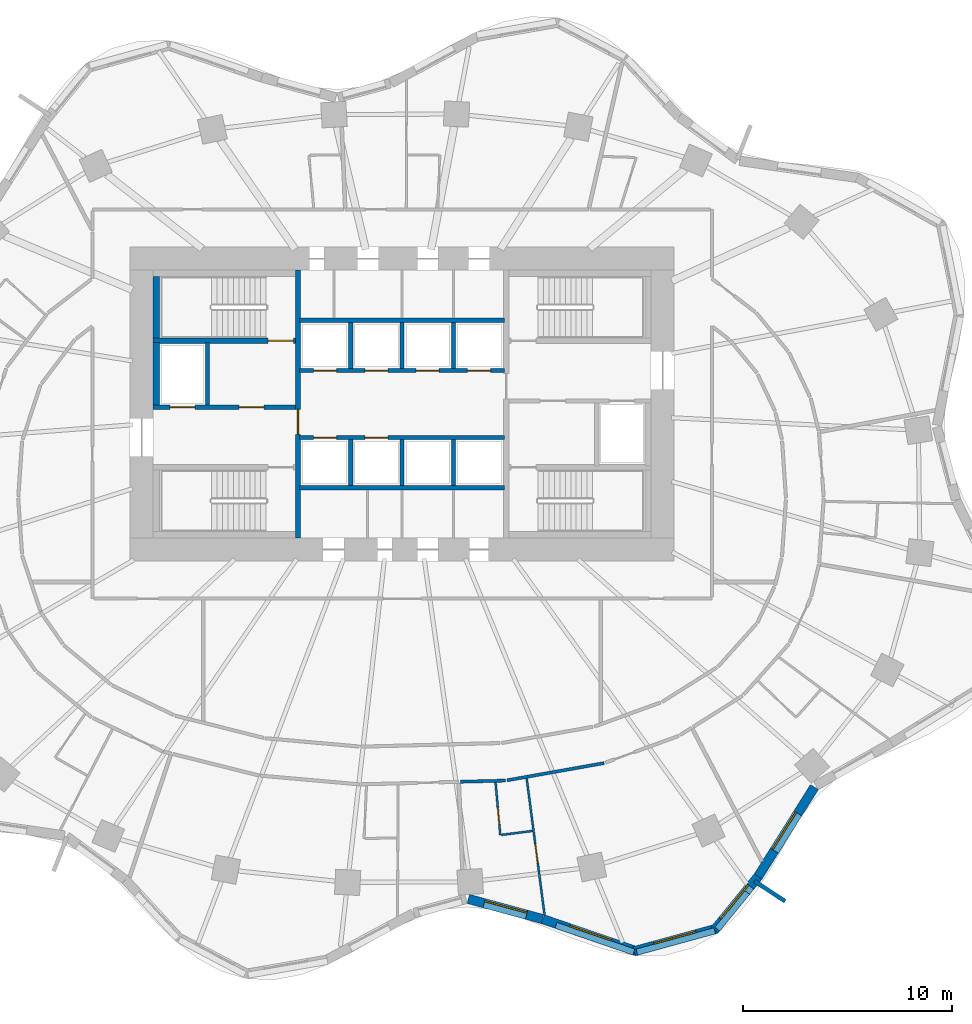
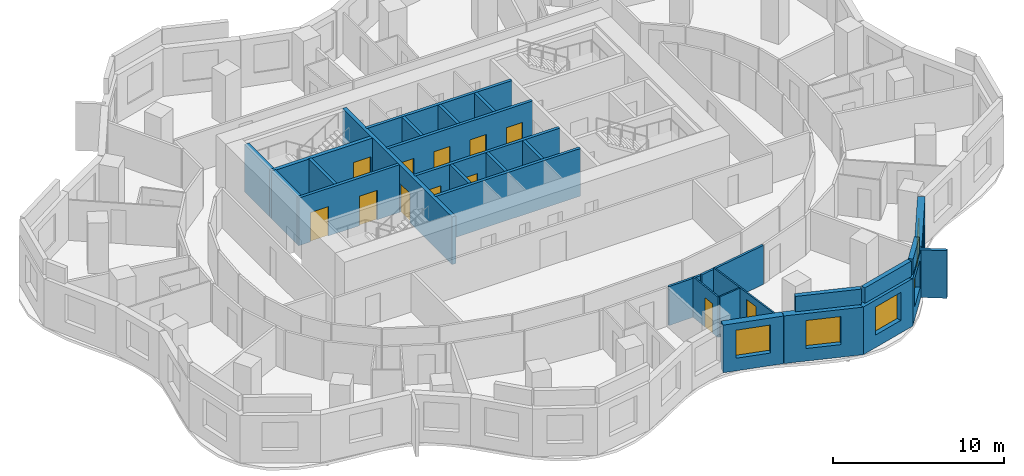
# One storey, part 5 of 10: 30 walls, 12 doors, 5 windows, 17 openings.
"""IFC4 building model written with IfcOpenShell, lengths in metres."""

from ifc_helpers import new_model, si_unit, direction, frame, frame_2d, origin, place, context, subcontext, project, spatial, rectangle, extrude, material, layer, layer_set, type_object, element, fill, save


model = new_model("IFC4")

# Units and contexts
model_context = context("Model", 3, precision=1e-05, world=origin(), true_north=direction((0.0, 1.0)))
body_context = subcontext(model_context, "Body", "Model", "MODEL_VIEW")
ifc_project = project(units=[si_unit("LENGTHUNIT", "METRE"), si_unit("AREAUNIT", "SQUARE_METRE"), si_unit("VOLUMEUNIT", "CUBIC_METRE"), si_unit("PLANEANGLEUNIT", "RADIAN"), si_unit("MASSUNIT", "GRAM", prefix="KILO")], contexts=[model_context])

# Site, building, storey
site_placement = place(None, origin())
site = spatial("IfcSite", under=ifc_project, at=site_placement, CompositionType="ELEMENT")
building_placement = place(site_placement, origin())
building = spatial("IfcBuilding", under=site, at=building_placement, Name="Rubra Terraces Tower", CompositionType="ELEMENT")
storey_placement = place(building_placement, frame((0.0, 0.0, 96.0)))
storey = spatial("IfcBuildingStorey", under=building, at=storey_placement, Name="L22", CompositionType="ELEMENT", Elevation=96.0)

# Wall, opening, window
ifc_material_1 = material(Name="Brick masonry red-brown", Category="masonry")
ifc_layer_1 = layer(ifc_material_1, 0.449951171875)
ifc_layer_set_1 = layer_set([ifc_layer_1], Name="Brick masonry red-brown")
wall_type_1 = type_object("IfcWallType", Name="Brick facade wall 450", PredefinedType="SOLIDWALL", material=ifc_layer_set_1)
wall_1_placement = place(storey_placement, frame((3.164306640625, -19.147216796875, 0.0), z_axis=(0.0, 0.0, 1.0), x_axis=(0.965039479998, -0.262104563191, 0.0)))
wall_1 = element("IfcWall", 1, at=wall_1_placement, inside=storey, type_object=wall_type_1, Name="Facade wall L22 bay 32", PredefinedType="SOLIDWALL", context=body_context, shape_type="SweptSolid", body=[
    extrude(rectangle(XDim=3.671875, YDim=0.449951171875, at=frame_2d((1.8359375, 0.0))), origin(), (0.0, 0.0, 1.0), 3.39990234375),
])
opening_1_placement = place(wall_1_placement, frame((0.785888671875, 0.0, 0.89990234375)))
opening_1 = element("IfcOpeningElement", 2, at=opening_1_placement, cuts=wall_1, Name="Opening W1", PredefinedType="OPENING", context=body_context, shape_type="SweptSolid", body=[
    extrude(rectangle(XDim=2.10009765625, YDim=2.0, at=frame_2d((1.050048828125, 1.0))), frame((0.0, 0.23486328125, 0.0), z_axis=(0.0, -1.0, 0.0), x_axis=(1.0, 0.0, 0.0)), (0.0, 0.0, 1.0), 0.469970703125),
])
ifc_material_2 = material(Name="Clear glass in aluminium frame", Category="aluminium")
window_type = type_object("IfcWindowType", Name="Fixed deep-set window 2100 x 2000", PartitioningType="SINGLE_PANEL", PredefinedType="WINDOW", material=ifc_material_2)
window_1_placement = place(opening_1_placement, origin())
window_1 = element("IfcWindow", 3, at=window_1_placement, inside=storey, type_object=window_type, Name="Window L22 bay 32", OverallHeight=2.0, OverallWidth=2.10009765625, PartitioningType="SINGLE_PANEL", PredefinedType="WINDOW", context=body_context, shape_type="SweptSolid", body=[
    extrude(rectangle(XDim=2.10009765625, YDim=2.0, at=frame_2d((1.050048828125, 1.0))), frame((0.0, 0.135009765625, 0.0), z_axis=(0.0, -1.0, 0.0), x_axis=(1.0, 0.0, 0.0)), (0.0, 0.0, 1.0), 0.06005859375),
])
fill(opening_1, window_1)

wall_2_placement = place(storey_placement, frame((6.722900390625, -20.114013671875, 0.0), z_axis=(0.0, 0.0, 1.0), x_axis=(0.945947299026, -0.324320377815, 0.0)))
wall_2 = element("IfcWall", 4, at=wall_2_placement, inside=storey, type_object=wall_type_1, Name="Facade wall L22 bay 33", PredefinedType="SOLIDWALL", context=body_context, shape_type="SweptSolid", body=[
    extrude(rectangle(XDim=4.74462890625, YDim=0.449951171875, at=frame_2d((2.372314453125, 0.0))), origin(), (0.0, 0.0, 1.0), 3.39990234375),
])
opening_2_placement = place(wall_2_placement, frame((1.322265625, 0.0, 0.89990234375)))
opening_2 = element("IfcOpeningElement", 5, at=opening_2_placement, cuts=wall_2, Name="Opening W1", PredefinedType="OPENING", context=body_context, shape_type="SweptSolid", body=[
    extrude(rectangle(XDim=2.10009765625, YDim=2.0, at=frame_2d((1.050048828125, 1.0))), frame((0.0, 0.23486328125, 0.0), z_axis=(0.0, -1.0, 0.0), x_axis=(1.0, 0.0, 0.0)), (0.0, 0.0, 1.0), 0.469970703125),
])
window_2_placement = place(opening_2_placement, origin())
window_2 = element("IfcWindow", 6, at=window_2_placement, inside=storey, type_object=window_type, Name="Window L22 bay 33", OverallHeight=2.0, OverallWidth=2.10009765625, PartitioningType="SINGLE_PANEL", PredefinedType="WINDOW", context=body_context, shape_type="SweptSolid", body=[
    extrude(rectangle(XDim=2.10009765625, YDim=2.0, at=frame_2d((1.050048828125, 1.0))), frame((0.0, 0.135009765625, 0.0), z_axis=(0.0, -1.0, 0.0), x_axis=(1.0, 0.0, 0.0)), (0.0, 0.0, 1.0), 0.06005859375),
])
fill(opening_2, window_2)

wall_3_placement = place(storey_placement, frame((11.08251953125, -21.64990234375, 0.0), z_axis=(0.0, 0.0, 1.0), x_axis=(0.964483204983, 0.264144179011, 0.0)))
wall_3 = element("IfcWall", 7, at=wall_3_placement, inside=storey, type_object=wall_type_1, Name="Facade wall L22 bay 34", PredefinedType="SOLIDWALL", context=body_context, shape_type="SweptSolid", body=[
    extrude(rectangle(XDim=4.103759765625, YDim=0.449951171875, at=frame_2d((2.0517578125, 0.0))), origin(), (0.0, 0.0, 1.0), 3.39990234375),
])
opening_3_placement = place(wall_3_placement, frame((1.001953125, 0.0, 0.89990234375)))
opening_3 = element("IfcOpeningElement", 8, at=opening_3_placement, cuts=wall_3, Name="Opening W1", PredefinedType="OPENING", context=body_context, shape_type="SweptSolid", body=[
    extrude(rectangle(XDim=2.10009765625, YDim=2.0, at=frame_2d((1.050048828125, 1.0))), frame((0.0, 0.23486328125, 0.0), z_axis=(0.0, -1.0, 0.0), x_axis=(1.0, 0.0, 0.0)), (0.0, 0.0, 1.0), 0.469970703125),
])
window_3_placement = place(opening_3_placement, origin())
window_3 = element("IfcWindow", 9, at=window_3_placement, inside=storey, type_object=window_type, Name="Window L22 bay 34", OverallHeight=2.0, OverallWidth=2.10009765625, PartitioningType="SINGLE_PANEL", PredefinedType="WINDOW", context=body_context, shape_type="SweptSolid", body=[
    extrude(rectangle(XDim=2.10009765625, YDim=2.0, at=frame_2d((1.050048828125, 1.0))), frame((0.0, 0.135009765625, 0.0), z_axis=(0.0, -1.0, 0.0), x_axis=(1.0, 0.0, 0.0)), (0.0, 0.0, 1.0), 0.06005859375),
])
fill(opening_3, window_3)

wall_4_placement = place(storey_placement, frame((14.925537109375, -20.640869140625, 0.0), z_axis=(0.0, 0.0, 1.0), x_axis=(0.631548074669, 0.775336720001, 0.0)))
wall_4 = element("IfcWall", 10, at=wall_4_placement, inside=storey, type_object=wall_type_1, Name="Facade wall L22 bay 35", PredefinedType="SOLIDWALL", context=body_context, shape_type="SweptSolid", body=[
    extrude(rectangle(XDim=3.3076171875, YDim=0.449951171875, at=frame_2d((1.65380859375, 0.0))), origin(), (0.0, 0.0, 1.0), 3.39990234375),
])
opening_4_placement = place(wall_4_placement, frame((0.603759765625, 0.0, 0.89990234375)))
opening_4 = element("IfcOpeningElement", 11, at=opening_4_placement, cuts=wall_4, Name="Opening W1", PredefinedType="OPENING", context=body_context, shape_type="SweptSolid", body=[
    extrude(rectangle(XDim=2.10009765625, YDim=2.0, at=frame_2d((1.050048828125, 1.0))), frame((0.0, 0.23486328125, 0.0), z_axis=(0.0, -1.0, 0.0), x_axis=(1.0, 0.0, 0.0)), (0.0, 0.0, 1.0), 0.469970703125),
])
window_4_placement = place(opening_4_placement, origin())
window_4 = element("IfcWindow", 12, at=window_4_placement, inside=storey, type_object=window_type, Name="Window L22 bay 35", OverallHeight=2.0, OverallWidth=2.10009765625, PartitioningType="SINGLE_PANEL", PredefinedType="WINDOW", context=body_context, shape_type="SweptSolid", body=[
    extrude(rectangle(XDim=2.10009765625, YDim=2.0, at=frame_2d((1.050048828125, 1.0))), frame((0.0, 0.135009765625, 0.0), z_axis=(0.0, -1.0, 0.0), x_axis=(1.0, 0.0, 0.0)), (0.0, 0.0, 1.0), 0.06005859375),
])
fill(opening_4, window_4)

wall_5_placement = place(storey_placement, frame((16.998291015625, -18.0986328125, 0.0), z_axis=(0.0, 0.0, 1.0), x_axis=(0.532745661304, 0.846275404559, 0.0)))
wall_5 = element("IfcWall", 13, at=wall_5_placement, inside=storey, type_object=wall_type_1, Name="Facade wall L22 bay 36", PredefinedType="SOLIDWALL", context=body_context, shape_type="SweptSolid", body=[
    extrude(rectangle(XDim=5.076171875, YDim=0.449951171875, at=frame_2d((2.5380859375, 0.0))), origin(), (0.0, 0.0, 1.0), 3.39990234375),
])
opening_5_placement = place(wall_5_placement, frame((1.488037109375, 0.0, 0.89990234375)))
opening_5 = element("IfcOpeningElement", 14, at=opening_5_placement, cuts=wall_5, Name="Opening W1", PredefinedType="OPENING", context=body_context, shape_type="SweptSolid", body=[
    extrude(rectangle(XDim=2.10009765625, YDim=2.0, at=frame_2d((1.050048828125, 1.0))), frame((0.0, 0.23486328125, 0.0), z_axis=(0.0, -1.0, 0.0), x_axis=(1.0, 0.0, 0.0)), (0.0, 0.0, 1.0), 0.469970703125),
])
window_5_placement = place(opening_5_placement, origin())
window_5 = element("IfcWindow", 15, at=window_5_placement, inside=storey, type_object=window_type, Name="Window L22 bay 36", OverallHeight=2.0, OverallWidth=2.10009765625, PartitioningType="SINGLE_PANEL", PredefinedType="WINDOW", context=body_context, shape_type="SweptSolid", body=[
    extrude(rectangle(XDim=2.10009765625, YDim=2.0, at=frame_2d((1.050048828125, 1.0))), frame((0.0, 0.135009765625, 0.0), z_axis=(0.0, -1.0, 0.0), x_axis=(1.0, 0.0, 0.0)), (0.0, 0.0, 1.0), 0.06005859375),
])
fill(opening_5, window_5)

# Walls
ifc_layer_2 = layer(ifc_material_1, 0.300048828125)
ifc_layer_set_2 = layer_set([ifc_layer_2], Name="Brick masonry red-brown")
wall_type_2 = type_object("IfcWallType", Name="Brick parapet 300", PredefinedType="PARAPET", material=ifc_layer_set_2)
wall_6_placement = place(storey_placement, frame((7.3515625, -20.40869140625, 3.60009765625), z_axis=(0.0, 0.0, 1.0), x_axis=(0.945937789937, -0.32434811171, 0.0)))
element("IfcWall", 16, at=wall_6_placement, inside=storey, type_object=wall_type_2, Name="Parapet L22 bay 33", PredefinedType="PARAPET", context=body_context, shape_type="SweptSolid", body=[
    extrude(rectangle(XDim=3.93603515625, YDim=0.300048828125, at=frame_2d((1.968017578125, 0.0))), origin(), (0.0, 0.0, 1.0), 1.099853515625),
])
wall_7_placement = place(storey_placement, frame((11.220458984375, -21.68994140625, 3.60009765625), z_axis=(0.0, 0.0, 1.0), x_axis=(0.964484148392, 0.264140734271, 0.0)))
element("IfcWall", 17, at=wall_7_placement, inside=storey, type_object=wall_type_2, Name="Parapet L22 bay 34", PredefinedType="PARAPET", context=body_context, shape_type="SweptSolid", body=[
    extrude(rectangle(XDim=3.855224609375, YDim=0.300048828125, at=frame_2d((1.927734375, 0.0))), origin(), (0.0, 0.0, 1.0), 1.099853515625),
])
wall_8_placement = place(storey_placement, frame((15.063232421875, -20.590576171875, 3.60009765625), z_axis=(0.0, 0.0, 1.0), x_axis=(0.631559943447, 0.775327052174, 0.0)))
element("IfcWall", 18, at=wall_8_placement, inside=storey, type_object=wall_type_2, Name="Parapet L22 bay 35", PredefinedType="PARAPET", context=body_context, shape_type="SweptSolid", body=[
    extrude(rectangle(XDim=2.26025390625, YDim=0.300048828125, at=frame_2d((1.130126953125, 0.0))), origin(), (0.0, 0.0, 1.0), 1.099853515625),
])
ifc_layer_3 = layer(ifc_material_1, 0.199951171875)
ifc_layer_set_3 = layer_set([ifc_layer_3], Name="Brick masonry red-brown")
wall_type_3 = type_object("IfcWallType", Name="Brick wind fin 200", PredefinedType="SOLIDWALL", material=ifc_layer_set_3)
wall_9_placement = place(storey_placement, frame((16.837890625, -18.298095703125, 0.0), z_axis=(0.0, 0.0, 1.0), x_axis=(0.835871900419, -0.548924554097, 0.0)))
element("IfcWall", 19, at=wall_9_placement, inside=storey, type_object=wall_type_3, Name="Wind fin L22 21", PredefinedType="SOLIDWALL", context=body_context, shape_type="SweptSolid", body=[
    extrude(rectangle(XDim=1.750244140625, YDim=0.199951171875, at=frame_2d((0.875, 0.0))), origin(), (0.0, 0.0, 1.0), 3.39990234375),
])
ifc_material_3 = material(Name="Plasterboard on steel stud, mineral wool infill", Category="steel")
ifc_layer_4 = layer(ifc_material_3, 0.14990234375)
ifc_layer_set_4 = layer_set([ifc_layer_4], Name="Plasterboard on steel stud, mineral wool infill")
wall_type_4 = type_object("IfcWallType", Name="CORRIDOR PARTITION 150", PredefinedType="PARTITIONING", material=ifc_layer_set_4)
wall_10_placement = place(storey_placement, frame((2.781494140625, -13.54931640625, 0.0), z_axis=(0.0, 0.0, 1.0), x_axis=(0.999665013714, 0.025881660615, 0.0)))
element("IfcWall", 20, at=wall_10_placement, inside=storey, type_object=wall_type_4, Name="PARTITION", PredefinedType="PARTITIONING", context=body_context, shape_type="SweptSolid", body=[
    extrude(rectangle(XDim=2.16015625, YDim=0.14990234375, at=frame_2d((1.080078125, 0.0))), origin(), (0.0, 0.0, 1.0), 2.783935546875),
])
wall_11_placement = place(storey_placement, frame((5.0146484375, -13.480224609375, 0.0), z_axis=(0.0, 0.0, 1.0), x_axis=(0.984637772103, 0.174609443467, 0.0)))
element("IfcWall", 21, at=wall_11_placement, inside=storey, type_object=wall_type_4, Name="PARTITION", PredefinedType="PARTITIONING", context=body_context, shape_type="SweptSolid", body=[
    extrude(rectangle(XDim=4.71484375, YDim=0.14990234375, at=frame_2d((2.357421875, 0.0))), origin(), (0.0, 0.0, 1.0), 2.783935546875),
])
ifc_material_4 = material(Name="Concrete C40", Category="concrete")
ifc_layer_5 = layer(ifc_material_4, 0.300048828125)
ifc_layer_set_5 = layer_set([ifc_layer_5], Name="Concrete C40")
wall_type_5 = type_object("IfcWallType", Name="Core lining wall 300 concrete", PredefinedType="SOLIDWALL", material=ifc_layer_set_5)
wall_12_placement = place(storey_placement, frame((-11.75, 4.449951171875, 0.0), z_axis=(0.0, 0.0, 1.0), x_axis=(0.0, 1.0, 0.0)))
element("IfcWall", 22, at=wall_12_placement, inside=storey, type_object=wall_type_5, Name="CORE LINING WALL L22", PredefinedType="SOLIDWALL", context=body_context, shape_type="SweptSolid", body=[
    extrude(rectangle(XDim=3.0, YDim=0.300048828125, at=frame_2d((1.5, 0.0))), origin(), (0.0, 0.0, 1.0), 3.39990234375),
])
wall_13_placement = place(storey_placement, frame((-11.75, 7.64990234375, 0.0), z_axis=(0.0, 0.0, 1.0), x_axis=(0.0, 1.0, 0.0)))
element("IfcWall", 23, at=wall_13_placement, inside=storey, type_object=wall_type_5, Name="CORE LINING WALL L22", PredefinedType="SOLIDWALL", context=body_context, shape_type="SweptSolid", body=[
    extrude(rectangle(XDim=2.9501953125, YDim=0.300048828125, at=frame_2d((1.47509765625, 0.0))), origin(), (0.0, 0.0, 1.0), 3.39990234375),
])

# Wall, openings, doors
ifc_material_5 = material(Name="Concrete C30", Category="concrete")
ifc_layer_6 = layer(ifc_material_5, 0.199951171875)
ifc_layer_set_6 = layer_set([ifc_layer_6], Name="Concrete C30")
wall_type_6 = type_object("IfcWallType", Name="Core wall 200 concrete", PredefinedType="SOLIDWALL", material=ifc_layer_set_6)
wall_14_placement = place(storey_placement, frame((-11.89990234375, 4.35009765625, 0.0), z_axis=(0.0, 0.0, 1.0), x_axis=(1.0, 0.0, 0.0)))
wall_14 = element("IfcWall", 24, at=wall_14_placement, inside=storey, type_object=wall_type_6, Name="STAIR WALL L22", PredefinedType="SOLIDWALL", context=body_context, shape_type="SweptSolid", body=[
    extrude(rectangle(XDim=6.7998046875, YDim=0.199951171875, at=frame_2d((3.39990234375, 0.0))), origin(), (0.0, 0.0, 1.0), 3.39990234375),
])
opening_6_placement = place(wall_14_placement, frame((4.10009765625, 0.0, 0.0)))
opening_6 = element("IfcOpeningElement", 25, at=opening_6_placement, cuts=wall_14, Name="Opening L22.C05", PredefinedType="OPENING", context=body_context, shape_type="SweptSolid", body=[
    extrude(rectangle(XDim=1.199951171875, YDim=2.10009765625, at=frame_2d((0.60009765625, 1.050048828125))), frame((0.0, 0.10986328125, 0.0), z_axis=(0.0, -1.0, 0.0), x_axis=(1.0, 0.0, 0.0)), (0.0, 0.0, 1.0), 0.219970703125),
])
opening_7_placement = place(wall_14_placement, frame((0.800048828125, 0.0, 0.0)))
opening_7 = element("IfcOpeningElement", 26, at=opening_7_placement, cuts=wall_14, Name="Opening L22.C11", PredefinedType="OPENING", context=body_context, shape_type="SweptSolid", body=[
    extrude(rectangle(XDim=1.199951171875, YDim=2.10009765625, at=frame_2d((0.60009765625, 1.050048828125))), frame((0.0, 0.10986328125, 0.0), z_axis=(0.0, -1.0, 0.0), x_axis=(1.0, 0.0, 0.0)), (0.0, 0.0, 1.0), 0.219970703125),
])
ifc_material_6 = material(Name="Painted steel", Category="steel")
door_type_1 = type_object("IfcDoorType", Name="Fire door 1200x2100 single", OperationType="NOTDEFINED", PredefinedType="DOOR", material=ifc_material_6)
door_1_placement = place(opening_6_placement, origin())
door_1 = element("IfcDoor", 27, at=door_1_placement, inside=storey, type_object=door_type_1, Name="Stair vestibule door S2", OperationType="SINGLE_SWING_LEFT", OverallHeight=2.10009765625, OverallWidth=1.199951171875, PredefinedType="DOOR", context=body_context, shape_type="SweptSolid", body=[
    extrude(rectangle(XDim=1.199951171875, YDim=2.10009765625, at=frame_2d((0.60009765625, 1.050048828125))), frame((0.0, 0.02490234375, 0.0), z_axis=(0.0, -1.0, 0.0), x_axis=(1.0, 0.0, 0.0)), (0.0, 0.0, 1.0), 0.050048828125),
])
fill(opening_6, door_1)
ifc_material_7 = material(Name="Stainless steel", Category="steel")
door_type_2 = type_object("IfcDoorType", Name="Lift landing door 1200x2100", OperationType="NOTDEFINED", PredefinedType="DOOR", material=ifc_material_7)
door_2_placement = place(opening_7_placement, origin())
door_2 = element("IfcDoor", 28, at=door_2_placement, inside=storey, type_object=door_type_2, Name="Landing door FF1", OperationType="SLIDING_TO_RIGHT", OverallHeight=2.10009765625, OverallWidth=1.199951171875, PredefinedType="DOOR", context=body_context, shape_type="SweptSolid", body=[
    extrude(rectangle(XDim=1.199951171875, YDim=2.10009765625, at=frame_2d((0.60009765625, 1.050048828125))), frame((0.0, 0.02490234375, 0.0), z_axis=(0.0, -1.0, 0.0), x_axis=(1.0, 0.0, 0.0)), (0.0, 0.0, 1.0), 0.050048828125),
])
fill(opening_7, door_2)

# Walls
wall_15_placement = place(storey_placement, frame((-9.300048828125, 4.449951171875, 0.0), z_axis=(0.0, 0.0, 1.0), x_axis=(0.0, 1.0, 0.0)))
element("IfcWall", 29, at=wall_15_placement, inside=storey, type_object=wall_type_6, Name="STAIR WALL L22", PredefinedType="SOLIDWALL", context=body_context, shape_type="SweptSolid", body=[
    extrude(rectangle(XDim=3.0, YDim=0.199951171875, at=frame_2d((1.5, 0.0))), origin(), (0.0, 0.0, 1.0), 3.39990234375),
])
wall_16_placement = place(storey_placement, frame((-4.89990234375, 0.5, 0.0), z_axis=(0.0, 0.0, 1.0), x_axis=(1.0, 0.0, 0.0)))
element("IfcWall", 30, at=wall_16_placement, inside=storey, type_object=wall_type_6, Name="LIFT SHAFT WALL L22", PredefinedType="SOLIDWALL", context=body_context, shape_type="SweptSolid", body=[
    extrude(rectangle(XDim=9.7998046875, YDim=0.199951171875, at=frame_2d((4.89990234375, 0.0))), origin(), (0.0, 0.0, 1.0), 3.39990234375),
])

# Wall, openings, doors
wall_17_placement = place(storey_placement, frame((-4.89990234375, 2.89990234375, 0.0), z_axis=(0.0, 0.0, 1.0), x_axis=(1.0, 0.0, 0.0)))
wall_17 = element("IfcWall", 31, at=wall_17_placement, inside=storey, type_object=wall_type_6, Name="LIFT SHAFT WALL L22", PredefinedType="SOLIDWALL", context=body_context, shape_type="SweptSolid", body=[
    extrude(rectangle(XDim=9.7998046875, YDim=0.199951171875, at=frame_2d((4.89990234375, 0.0))), origin(), (0.0, 0.0, 1.0), 3.39990234375),
])
opening_8_placement = place(wall_17_placement, frame((0.675048828125, 0.0, 0.0)))
opening_8 = element("IfcOpeningElement", 32, at=opening_8_placement, cuts=wall_17, Name="Opening L22.C13", PredefinedType="OPENING", context=body_context, shape_type="SweptSolid", body=[
    extrude(rectangle(XDim=1.10009765625, YDim=2.10009765625, at=frame_2d((0.550048828125, 1.050048828125))), frame((0.0, 0.10986328125, 0.0), z_axis=(0.0, -1.0, 0.0), x_axis=(1.0, 0.0, 0.0)), (0.0, 0.0, 1.0), 0.219970703125),
])
opening_9_placement = place(wall_17_placement, frame((3.125, 0.0, 0.0)))
opening_9 = element("IfcOpeningElement", 33, at=opening_9_placement, cuts=wall_17, Name="Opening L22.C14", PredefinedType="OPENING", context=body_context, shape_type="SweptSolid", body=[
    extrude(rectangle(XDim=1.10009765625, YDim=2.10009765625, at=frame_2d((0.550048828125, 1.050048828125))), frame((0.0, 0.10986328125, 0.0), z_axis=(0.0, -1.0, 0.0), x_axis=(1.0, 0.0, 0.0)), (0.0, 0.0, 1.0), 0.219970703125),
])
door_type_3 = type_object("IfcDoorType", Name="Lift landing door 1100x2100", OperationType="NOTDEFINED", PredefinedType="DOOR", material=ifc_material_7)
door_3_placement = place(opening_8_placement, origin())
door_3 = element("IfcDoor", 34, at=door_3_placement, inside=storey, type_object=door_type_3, Name="Landing door LB1", OperationType="SLIDING_TO_RIGHT", OverallHeight=2.10009765625, OverallWidth=1.10009765625, PredefinedType="DOOR", context=body_context, shape_type="SweptSolid", body=[
    extrude(rectangle(XDim=1.10009765625, YDim=2.10009765625, at=frame_2d((0.550048828125, 1.050048828125))), frame((0.0, 0.02490234375, 0.0), z_axis=(0.0, -1.0, 0.0), x_axis=(1.0, 0.0, 0.0)), (0.0, 0.0, 1.0), 0.050048828125),
])
fill(opening_8, door_3)
door_4_placement = place(opening_9_placement, origin())
door_4 = element("IfcDoor", 35, at=door_4_placement, inside=storey, type_object=door_type_3, Name="Landing door LB2", OperationType="SLIDING_TO_LEFT", OverallHeight=2.10009765625, OverallWidth=1.10009765625, PredefinedType="DOOR", context=body_context, shape_type="SweptSolid", body=[
    extrude(rectangle(XDim=1.10009765625, YDim=2.10009765625, at=frame_2d((0.550048828125, 1.050048828125))), frame((0.0, 0.02490234375, 0.0), z_axis=(0.0, -1.0, 0.0), x_axis=(1.0, 0.0, 0.0)), (0.0, 0.0, 1.0), 0.050048828125),
])
fill(opening_9, door_4)

wall_18_placement = place(storey_placement, frame((-4.89990234375, 6.10009765625, 0.0), z_axis=(0.0, 0.0, 1.0), x_axis=(1.0, 0.0, 0.0)))
wall_18 = element("IfcWall", 36, at=wall_18_placement, inside=storey, type_object=wall_type_6, Name="LIFT SHAFT WALL L22", PredefinedType="SOLIDWALL", context=body_context, shape_type="SweptSolid", body=[
    extrude(rectangle(XDim=9.7998046875, YDim=0.199951171875, at=frame_2d((4.89990234375, 0.0))), origin(), (0.0, 0.0, 1.0), 3.39990234375),
])
opening_10_placement = place(wall_18_placement, frame((0.675048828125, 0.0, 0.0)))
opening_10 = element("IfcOpeningElement", 37, at=opening_10_placement, cuts=wall_18, Name="Opening L22.C15", PredefinedType="OPENING", context=body_context, shape_type="SweptSolid", body=[
    extrude(rectangle(XDim=1.10009765625, YDim=2.10009765625, at=frame_2d((0.550048828125, 1.050048828125))), frame((0.0, 0.10986328125, 0.0), z_axis=(0.0, -1.0, 0.0), x_axis=(1.0, 0.0, 0.0)), (0.0, 0.0, 1.0), 0.219970703125),
])
opening_11_placement = place(wall_18_placement, frame((3.125, 0.0, 0.0)))
opening_11 = element("IfcOpeningElement", 38, at=opening_11_placement, cuts=wall_18, Name="Opening L22.C16", PredefinedType="OPENING", context=body_context, shape_type="SweptSolid", body=[
    extrude(rectangle(XDim=1.10009765625, YDim=2.10009765625, at=frame_2d((0.550048828125, 1.050048828125))), frame((0.0, 0.10986328125, 0.0), z_axis=(0.0, -1.0, 0.0), x_axis=(1.0, 0.0, 0.0)), (0.0, 0.0, 1.0), 0.219970703125),
])
opening_12_placement = place(wall_18_placement, frame((5.574951171875, 0.0, 0.0)))
opening_12 = element("IfcOpeningElement", 39, at=opening_12_placement, cuts=wall_18, Name="Opening L22.C17", PredefinedType="OPENING", context=body_context, shape_type="SweptSolid", body=[
    extrude(rectangle(XDim=1.10009765625, YDim=2.10009765625, at=frame_2d((0.550048828125, 1.050048828125))), frame((0.0, 0.10986328125, 0.0), z_axis=(0.0, -1.0, 0.0), x_axis=(1.0, 0.0, 0.0)), (0.0, 0.0, 1.0), 0.219970703125),
])
opening_13_placement = place(wall_18_placement, frame((8.02490234375, 0.0, 0.0)))
opening_13 = element("IfcOpeningElement", 40, at=opening_13_placement, cuts=wall_18, Name="Opening L22.C18", PredefinedType="OPENING", context=body_context, shape_type="SweptSolid", body=[
    extrude(rectangle(XDim=1.10009765625, YDim=2.10009765625, at=frame_2d((0.550048828125, 1.050048828125))), frame((0.0, 0.10986328125, 0.0), z_axis=(0.0, -1.0, 0.0), x_axis=(1.0, 0.0, 0.0)), (0.0, 0.0, 1.0), 0.219970703125),
])
door_5_placement = place(opening_10_placement, origin())
door_5 = element("IfcDoor", 41, at=door_5_placement, inside=storey, type_object=door_type_3, Name="Landing door LB3", OperationType="SLIDING_TO_RIGHT", OverallHeight=2.10009765625, OverallWidth=1.10009765625, PredefinedType="DOOR", context=body_context, shape_type="SweptSolid", body=[
    extrude(rectangle(XDim=1.10009765625, YDim=2.10009765625, at=frame_2d((0.550048828125, 1.050048828125))), frame((0.0, 0.02490234375, 0.0), z_axis=(0.0, -1.0, 0.0), x_axis=(1.0, 0.0, 0.0)), (0.0, 0.0, 1.0), 0.050048828125),
])
fill(opening_10, door_5)
door_6_placement = place(opening_11_placement, origin())
door_6 = element("IfcDoor", 42, at=door_6_placement, inside=storey, type_object=door_type_3, Name="Landing door LB4", OperationType="SLIDING_TO_LEFT", OverallHeight=2.10009765625, OverallWidth=1.10009765625, PredefinedType="DOOR", context=body_context, shape_type="SweptSolid", body=[
    extrude(rectangle(XDim=1.10009765625, YDim=2.10009765625, at=frame_2d((0.550048828125, 1.050048828125))), frame((0.0, 0.02490234375, 0.0), z_axis=(0.0, -1.0, 0.0), x_axis=(1.0, 0.0, 0.0)), (0.0, 0.0, 1.0), 0.050048828125),
])
fill(opening_11, door_6)
door_7_placement = place(opening_12_placement, origin())
door_7 = element("IfcDoor", 43, at=door_7_placement, inside=storey, type_object=door_type_3, Name="Landing door LB5", OperationType="SLIDING_TO_RIGHT", OverallHeight=2.10009765625, OverallWidth=1.10009765625, PredefinedType="DOOR", context=body_context, shape_type="SweptSolid", body=[
    extrude(rectangle(XDim=1.10009765625, YDim=2.10009765625, at=frame_2d((0.550048828125, 1.050048828125))), frame((0.0, 0.02490234375, 0.0), z_axis=(0.0, -1.0, 0.0), x_axis=(1.0, 0.0, 0.0)), (0.0, 0.0, 1.0), 0.050048828125),
])
fill(opening_12, door_7)
door_8_placement = place(opening_13_placement, origin())
door_8 = element("IfcDoor", 44, at=door_8_placement, inside=storey, type_object=door_type_3, Name="Landing door LB6", OperationType="SLIDING_TO_LEFT", OverallHeight=2.10009765625, OverallWidth=1.10009765625, PredefinedType="DOOR", context=body_context, shape_type="SweptSolid", body=[
    extrude(rectangle(XDim=1.10009765625, YDim=2.10009765625, at=frame_2d((0.550048828125, 1.050048828125))), frame((0.0, 0.02490234375, 0.0), z_axis=(0.0, -1.0, 0.0), x_axis=(1.0, 0.0, 0.0)), (0.0, 0.0, 1.0), 0.050048828125),
])
fill(opening_13, door_8)

# Walls
wall_19_placement = place(storey_placement, frame((-4.89990234375, 8.5, 0.0), z_axis=(0.0, 0.0, 1.0), x_axis=(1.0, 0.0, 0.0)))
element("IfcWall", 45, at=wall_19_placement, inside=storey, type_object=wall_type_6, Name="LIFT SHAFT WALL L22", PredefinedType="SOLIDWALL", context=body_context, shape_type="SweptSolid", body=[
    extrude(rectangle(XDim=9.7998046875, YDim=0.199951171875, at=frame_2d((4.89990234375, 0.0))), origin(), (0.0, 0.0, 1.0), 3.39990234375),
])
for number, where, z_axis, x_axis, name in (
    (46, (-2.449951171875, 0.60009765625, 0.0), (0.0, 0.0, 1.0), (0.0, 1.0, 0.0), "LIFT SHAFT WALL L22"),
    (47, (0.0, 0.60009765625, 0.0), (0.0, 0.0, 1.0), (0.0, 1.0, 0.0), "LIFT SHAFT WALL L22"),
    (48, (2.449951171875, 0.60009765625, 0.0), (0.0, 0.0, 1.0), (0.0, 1.0, 0.0), "LIFT SHAFT WALL L22"),
    (49, (-2.449951171875, 6.199951171875, 0.0), (0.0, 0.0, 1.0), (0.0, 1.0, 0.0), "LIFT SHAFT WALL L22"),
    (50, (0.0, 6.199951171875, 0.0), (0.0, 0.0, 1.0), (0.0, 1.0, 0.0), "LIFT SHAFT WALL L22"),
    (51, (2.449951171875, 6.199951171875, 0.0), (0.0, 0.0, 1.0), (0.0, 1.0, 0.0), "LIFT SHAFT WALL L22"),
):
    element("IfcWall", number, at=place(storey_placement, frame(where, z_axis=z_axis, x_axis=x_axis)), inside=storey, type_object=wall_type_6, Name=name, PredefinedType="SOLIDWALL", context=body_context, shape_type="SweptSolid", body=[
        extrude(rectangle(XDim=2.199951171875, YDim=0.199951171875, at=frame_2d((1.10009765625, 0.0))), origin(), (0.0, 0.0, 1.0), 3.39990234375),
    ])

# Wall, opening, door
ifc_material_8 = material(Name="Plasterboard on steel stud", Category="steel")
ifc_layer_7 = layer(ifc_material_8, 0.10009765625)
ifc_layer_set_7 = layer_set([ifc_layer_7], Name="Plasterboard on steel stud")
wall_type_7 = type_object("IfcWallType", Name="ROOM PARTITION 100", PredefinedType="PARTITIONING", material=ifc_layer_set_7)
wall_20_placement = place(storey_placement, frame((6.80712890625, -19.905029296875, 0.0), z_axis=(0.0, 0.0, 1.0), x_axis=(-0.129895112789, 0.991527740244, 0.0)))
wall_20 = element("IfcWall", 52, at=wall_20_placement, inside=storey, type_object=wall_type_7, Name="PARTITION", PredefinedType="PARTITIONING", context=body_context, shape_type="SweptSolid", body=[
    extrude(rectangle(XDim=6.57080078125, YDim=0.10009765625, at=frame_2d((3.285400390625, 0.0))), origin(), (0.0, 0.0, 1.0), 2.884033203125),
])
opening_14_placement = place(wall_20_placement, frame((2.49609375, 0.0, 0.0)))
opening_14 = element("IfcOpeningElement", 53, at=opening_14_placement, cuts=wall_20, Name="Opening 22-119", PredefinedType="OPENING", context=body_context, shape_type="SweptSolid", body=[
    extrude(rectangle(XDim=0.89990234375, YDim=2.39990234375, at=frame_2d((0.449951171875, 1.199951171875))), frame((0.0, 0.06005859375, 0.0), z_axis=(0.0, -1.0, 0.0), x_axis=(1.0, 0.0, 0.0)), (0.0, 0.0, 1.0), 0.1201171875),
])
ifc_material_9 = material(Name="Veneered timber door leaf, fire-rated", Category="wood")
door_type_4 = type_object("IfcDoorType", Name="SUITE ENTRANCE DOOR 900 X 2400", OperationType="SINGLE_SWING_LEFT", PredefinedType="DOOR", material=ifc_material_9)
door_9_placement = place(opening_14_placement, origin())
door_9 = element("IfcDoor", 54, at=door_9_placement, inside=storey, type_object=door_type_4, Name="DOOR 22-119", OperationType="SINGLE_SWING_LEFT", OverallHeight=2.39990234375, OverallWidth=0.89990234375, PredefinedType="DOOR", context=body_context, shape_type="SweptSolid", body=[
    extrude(rectangle(XDim=0.89990234375, YDim=2.39990234375, at=frame_2d((0.449951171875, 1.199951171875))), frame((0.0, 0.02490234375, 0.0), z_axis=(0.0, -1.0, 0.0), x_axis=(1.0, 0.0, 0.0)), (0.0, 0.0, 1.0), 0.050048828125),
])
fill(opening_14, door_9)

wall_21_placement = place(storey_placement, frame((4.46630859375, -13.58056640625, 0.0), z_axis=(0.0, 0.0, 1.0), x_axis=(0.089541778651, -0.995983067063, 0.0)))
wall_21 = element("IfcWall", 55, at=wall_21_placement, inside=storey, type_object=wall_type_7, Name="PARTITION", PredefinedType="PARTITIONING", context=body_context, shape_type="SweptSolid", body=[
    extrude(rectangle(XDim=2.52490234375, YDim=0.10009765625, at=frame_2d((1.262451171875, 0.0))), origin(), (0.0, 0.0, 1.0), 2.884033203125),
])
opening_15_placement = place(wall_21_placement, frame((1.199951171875, 0.0, 0.0)))
opening_15 = element("IfcOpeningElement", 56, at=opening_15_placement, cuts=wall_21, Name="Opening 22-118", PredefinedType="OPENING", context=body_context, shape_type="SweptSolid", body=[
    extrude(rectangle(XDim=0.800048828125, YDim=2.10009765625, at=frame_2d((0.39990234375, 1.050048828125))), frame((0.0, 0.06005859375, 0.0), z_axis=(0.0, -1.0, 0.0), x_axis=(1.0, 0.0, 0.0)), (0.0, 0.0, 1.0), 0.1201171875),
])
ifc_material_10 = material(Name="Painted timber door leaf", Category="wood")
door_type_5 = type_object("IfcDoorType", Name="BATHROOM DOOR 800 X 2100", OperationType="SINGLE_SWING_LEFT", PredefinedType="DOOR", material=ifc_material_10)
door_10_placement = place(opening_15_placement, origin())
door_10 = element("IfcDoor", 57, at=door_10_placement, inside=storey, type_object=door_type_5, Name="DOOR 22-118", OperationType="SINGLE_SWING_LEFT", OverallHeight=2.10009765625, OverallWidth=0.800048828125, PredefinedType="DOOR", context=body_context, shape_type="SweptSolid", body=[
    extrude(rectangle(XDim=0.800048828125, YDim=2.10009765625, at=frame_2d((0.39990234375, 1.050048828125))), frame((0.0, 0.02490234375, 0.0), z_axis=(0.0, -1.0, 0.0), x_axis=(1.0, 0.0, 0.0)), (0.0, 0.0, 1.0), 0.050048828125),
])
fill(opening_15, door_10)

# Wall
wall_22_placement = place(storey_placement, frame((4.741943359375, -16.089111328125, 0.0), z_axis=(0.0, 0.0, 1.0), x_axis=(0.992013080374, 0.126135040205, 0.0)))
element("IfcWall", 58, at=wall_22_placement, inside=storey, type_object=wall_type_7, Name="PARTITION", PredefinedType="PARTITIONING", context=body_context, shape_type="SweptSolid", body=[
    extrude(rectangle(XDim=1.501953125, YDim=0.10009765625, at=frame_2d((0.7509765625, 0.0))), origin(), (0.0, 0.0, 1.0), 2.884033203125),
])

# Wall, opening, door
ifc_layer_8 = layer(ifc_material_4, 0.25)
ifc_layer_set_8 = layer_set([ifc_layer_8], Name="Concrete C40")
wall_type_8 = type_object("IfcWallType", Name="Stair enclosure wall 250 concrete", PredefinedType="SOLIDWALL", material=ifc_layer_set_8)
wall_23_placement = place(storey_placement, frame((-11.89990234375, 7.52490234375, 0.0), z_axis=(0.0, 0.0, 1.0), x_axis=(1.0, 0.0, 0.0)))
wall_23 = element("IfcWall", 59, at=wall_23_placement, inside=storey, type_object=wall_type_8, Name="STAIR WALL L22", PredefinedType="SOLIDWALL", context=body_context, shape_type="SweptSolid", body=[
    extrude(rectangle(XDim=6.7998046875, YDim=0.25, at=frame_2d((3.39990234375, 0.0))), origin(), (0.0, 0.0, 1.0), 3.39990234375),
])
opening_16_placement = place(wall_23_placement, frame((5.5, 0.0, 0.0)))
opening_16 = element("IfcOpeningElement", 60, at=opening_16_placement, cuts=wall_23, Name="Opening L22.C09", PredefinedType="OPENING", context=body_context, shape_type="SweptSolid", body=[
    extrude(rectangle(XDim=1.199951171875, YDim=2.10009765625, at=frame_2d((0.60009765625, 1.050048828125))), frame((0.0, 0.135009765625, 0.0), z_axis=(0.0, -1.0, 0.0), x_axis=(1.0, 0.0, 0.0)), (0.0, 0.0, 1.0), 0.27001953125),
])
door_11_placement = place(opening_16_placement, origin())
door_11 = element("IfcDoor", 61, at=door_11_placement, inside=storey, type_object=door_type_1, Name="Stair door S2", OperationType="SINGLE_SWING_LEFT", OverallHeight=2.10009765625, OverallWidth=1.199951171875, PredefinedType="DOOR", context=body_context, shape_type="SweptSolid", body=[
    extrude(rectangle(XDim=1.199951171875, YDim=2.10009765625, at=frame_2d((0.60009765625, 1.050048828125))), frame((0.0, 0.02490234375, 0.0), z_axis=(0.0, -1.0, 0.0), x_axis=(1.0, 0.0, 0.0)), (0.0, 0.0, 1.0), 0.050048828125),
])
fill(opening_16, door_11)

wall_24_placement = place(storey_placement, frame((-4.97509765625, -1.89990234375, 0.0), z_axis=(0.0, 0.0, 1.0), x_axis=(0.0, 1.0, 0.0)))
wall_24 = element("IfcWall", 62, at=wall_24_placement, inside=storey, type_object=wall_type_8, Name="CORE LOBBY WALL L22", PredefinedType="SOLIDWALL", context=body_context, shape_type="SweptSolid", body=[
    extrude(rectangle(XDim=12.7998046875, YDim=0.25, at=frame_2d((6.39990234375, 0.0))), origin(), (0.0, 0.0, 1.0), 3.39990234375),
])
opening_17_placement = place(wall_24_placement, frame((4.949951171875, 0.0, 0.0)))
opening_17 = element("IfcOpeningElement", 63, at=opening_17_placement, cuts=wall_24, Name="Opening L22.C03", PredefinedType="OPENING", context=body_context, shape_type="SweptSolid", body=[
    extrude(rectangle(XDim=1.199951171875, YDim=2.10009765625, at=frame_2d((0.60009765625, 1.050048828125))), frame((0.0, 0.135009765625, 0.0), z_axis=(0.0, -1.0, 0.0), x_axis=(1.0, 0.0, 0.0)), (0.0, 0.0, 1.0), 0.27001953125),
])
door_12_placement = place(opening_17_placement, origin())
door_12 = element("IfcDoor", 64, at=door_12_placement, inside=storey, type_object=door_type_1, Name="Firefighting lobby door FF1", OperationType="SINGLE_SWING_LEFT", OverallHeight=2.10009765625, OverallWidth=1.199951171875, PredefinedType="DOOR", context=body_context, shape_type="SweptSolid", body=[
    extrude(rectangle(XDim=1.199951171875, YDim=2.10009765625, at=frame_2d((0.60009765625, 1.050048828125))), frame((0.0, 0.02490234375, 0.0), z_axis=(0.0, -1.0, 0.0), x_axis=(1.0, 0.0, 0.0)), (0.0, 0.0, 1.0), 0.050048828125),
])
fill(opening_17, door_12)

save(model, "model.ifc")
